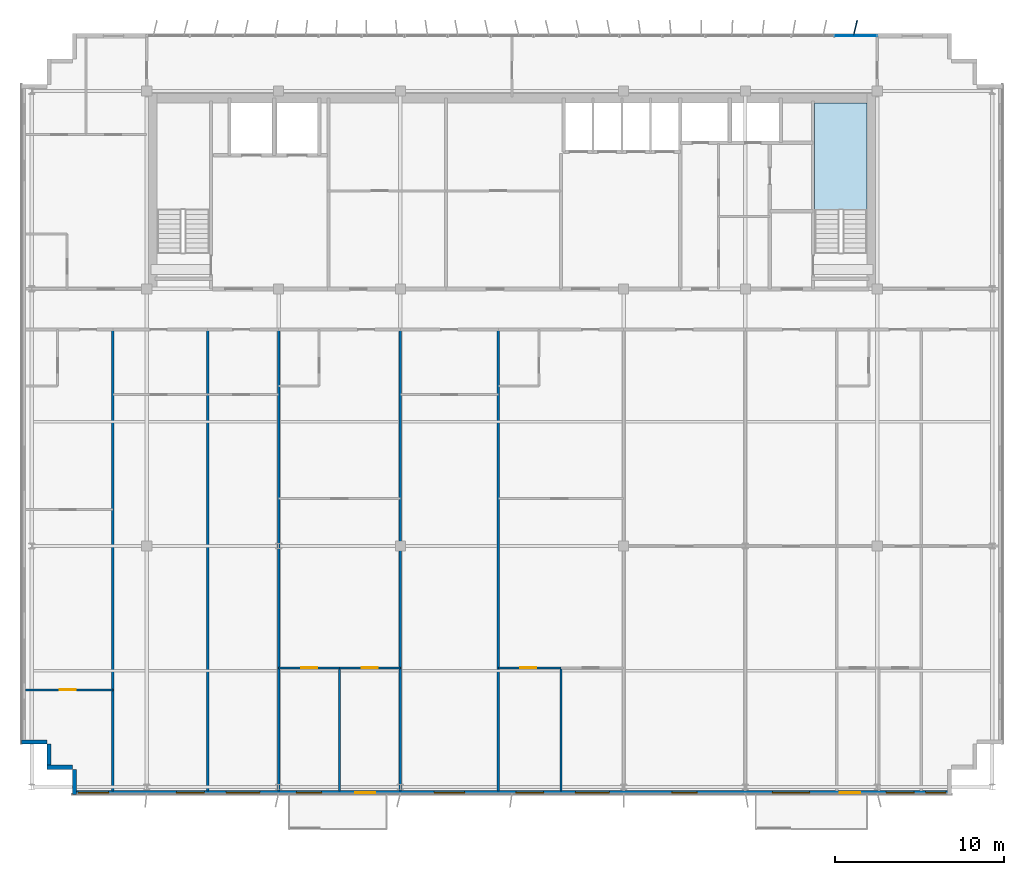
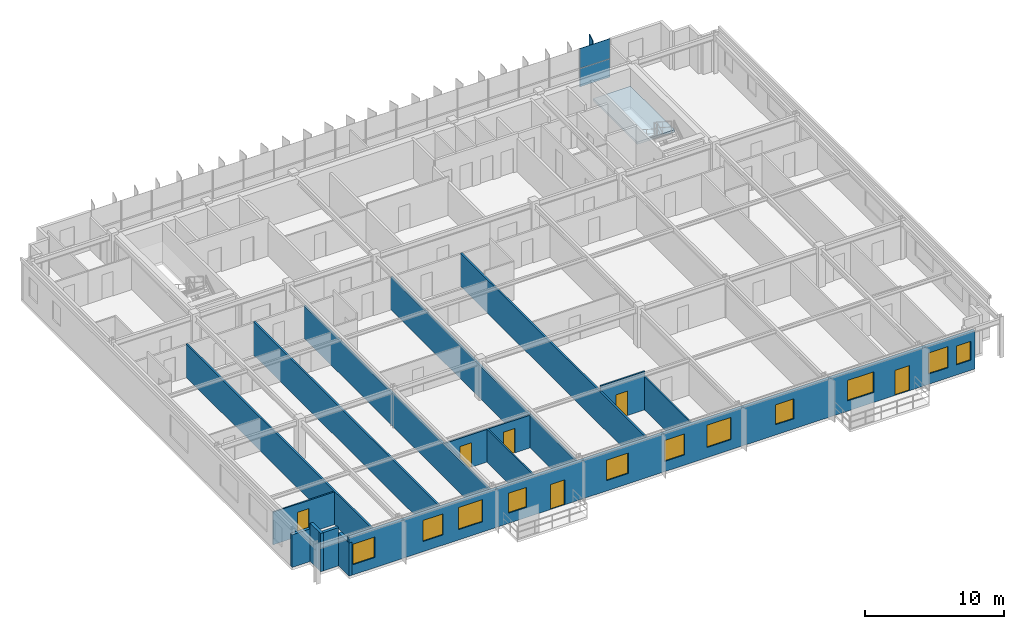
# One storey, part 16 of 23: 16 walls, 11 windows, 6 doors, 3 plates, 1 slab, 17 openings, 2 elements without a shape of their own.
"""IFC4 building model written with IfcOpenShell, lengths in metres."""

from ifc_helpers import new_model, si_unit, direction, frame, frame_2d, origin, origin_2d, place, context, subcontext, project, spatial, polyline, rectangle, outline, extrude, source, transform, mapped, material, layer, layer_set, type_object, element, fill, aggregate, save


model = new_model("IFC4")

# Units and contexts
model_context = context("Model", 3, precision=1e-05, world=origin(), true_north=direction((0.0, 1.0)))
body_context = subcontext(model_context, "Body", "Model", "MODEL_VIEW")
ifc_project = project(units=[si_unit("LENGTHUNIT", "METRE"), si_unit("AREAUNIT", "SQUARE_METRE"), si_unit("VOLUMEUNIT", "CUBIC_METRE"), si_unit("PLANEANGLEUNIT", "RADIAN"), si_unit("MASSUNIT", "GRAM", prefix="KILO")], contexts=[model_context])

# Site, building, storey
site_placement = place(None, origin())
site = spatial("IfcSite", under=ifc_project, at=site_placement, CompositionType="ELEMENT")
building_placement = place(site_placement, origin())
building = spatial("IfcBuilding", under=site, at=building_placement, Name="Trelvane Seafront Commons", CompositionType="ELEMENT")
storey_placement = place(building_placement, frame((0.0, 0.0, 263.10009765625)))
storey = spatial("IfcBuildingStorey", under=building, at=storey_placement, Name="L68", CompositionType="ELEMENT", Elevation=263.10009765625)

# Stair, slab
ifc_material_1 = material(Name="Concrete C40/50", Category="concrete")
stair_type = type_object("IfcStairType", Name="ARCH-STR-ST-2-R20-180", PredefinedType="HALF_TURN_STAIR", material=ifc_material_1)
stair_placement = place(storey_placement, origin())
stair = element("IfcStair", 1, at=stair_placement, inside=storey, type_object=stair_type, Name="L68 East Protected Firefighting Exit Stair ST-2", PredefinedType="HALF_TURN_STAIR")
ifc_layer_1 = layer(ifc_material_1, 0.199951171875, Name="ARCH-LND-200")
ifc_layer_set_1 = layer_set([ifc_layer_1], Name="Concrete C40/50")
slab_type = type_object("IfcSlabType", Name="ARCH-LND-200", PredefinedType="LANDING", material=ifc_layer_set_1)
slab_placement = place(storey_placement, frame((0.0, 0.0, 1.599853515625)))
slab = element("IfcSlab", 2, at=slab_placement, type_object=slab_type, Name="ST-2 landing 1", PredefinedType="LANDING", context=body_context, shape_type="SweptSolid", body=[
    extrude(outline(polyline([(58.199951171875, 38.070068359375), (58.199951171875, 44.39990234375), (55.10009765625, 44.39990234375), (55.10009765625, 38.070068359375), (58.199951171875, 38.070068359375)])), origin(), (0.0, 0.0, 1.0), 0.199951171875),
])
aggregate(stair, [slab])

# Plate
ifc_material_2 = material(Name="Anodised pale-silver aluminium", Category="aluminium")
ifc_layer_2 = layer(ifc_material_2, 0.06005859375, Name="ARCH-PLATE-FIN900")
ifc_layer_set_2 = layer_set([ifc_layer_2], Name="Anodised pale-silver aluminium")
plate_type_1 = type_object("IfcPlateType", Name="ARCH-PLATE-FIN900", PredefinedType="USERDEFINED", material=ifc_layer_set_2)
shared_shape_1 = source(origin(), body_context, "Body", "SweptSolid", [
    extrude(rectangle(XDim=0.89990234375, YDim=0.06005859375, at=origin_2d()), origin(), (0.0, 0.0, 1.0), 3.639892578125),
])
plate_1_placement = place(storey_placement, frame((57.5048828125, 48.837646484375, -0.02001953125), z_axis=(0.0, 0.0, 1.0), x_axis=(0.232876793588, 0.972506246257, 0.0)))
element("IfcPlate", 3, at=plate_1_placement, inside=storey, type_object=plate_type_1, Name="FIN-L68-01903", ObjectType="FIN", PredefinedType="USERDEFINED", context=body_context, shape_type="MappedRepresentation", body=[
    mapped(shared_shape_1, transform((0.0, 0.0, 0.0), x_axis=(1.0, 0.0, 0.0), y_axis=(0.0, 1.0, 0.0), z_axis=(0.0, 0.0, 1.0), scale=1.0)),
])

# Curtain wall, plates
curtain_wall_type = type_object("IfcCurtainWallType", Name="ARCH-CW5-UPTOWER", PredefinedType="NOTDEFINED", material=ifc_material_2)
curtain_wall_placement = place(storey_placement, origin())
curtain_wall = element("IfcCurtainWall", 4, at=curtain_wall_placement, inside=storey, type_object=curtain_wall_type, Name="CW-L68-0112", PredefinedType="NOTDEFINED")
ifc_material_3 = material(Name="Low-E coastal double glazing", Category="glass")
ifc_layer_3 = layer(ifc_material_3, 0.033935546875, Name="ARCH-CW-GLAZ-34")
ifc_layer_set_3 = layer_set([ifc_layer_3], Name="Low-E coastal double glazing")
plate_type_2 = type_object("IfcPlateType", Name="ARCH-CW-GLAZ-34", PredefinedType="CURTAIN_PANEL", material=ifc_layer_set_3)
shared_shape_2 = source(origin(), body_context, "Body", "SweptSolid", [
    extrude(rectangle(XDim=2.51708984375, YDim=0.033935546875, at=origin_2d()), origin(), (0.0, 0.0, 1.0), 1.60009765625),
])
plate_2_placement = place(storey_placement, frame((57.529296875, 48.3701171875, -0.000244140625), z_axis=(0.0, 0.0, 1.0), x_axis=(1.0, 0.0, 0.0)))
plate_2 = element("IfcPlate", 5, at=plate_2_placement, type_object=plate_type_2, Name="CW-L68-0112-P16-1", PredefinedType="CURTAIN_PANEL", context=body_context, shape_type="MappedRepresentation", body=[
    mapped(shared_shape_2, transform((0.0, 0.0, 0.0), x_axis=(1.0, 0.0, 0.0), y_axis=(0.0, 1.0, 0.0), z_axis=(0.0, 0.0, 1.0), scale=1.0)),
])
shared_shape_3 = source(origin(), body_context, "Body", "SweptSolid", [
    extrude(rectangle(XDim=2.51708984375, YDim=0.033935546875, at=origin_2d()), origin(), (0.0, 0.0, 1.0), 1.73388671875),
])
plate_3_placement = place(storey_placement, frame((57.529296875, 48.3701171875, 1.635986328125), z_axis=(0.0, 0.0, 1.0), x_axis=(1.0, 0.0, 0.0)))
plate_3 = element("IfcPlate", 6, at=plate_3_placement, type_object=plate_type_2, Name="CW-L68-0112-P16-2", PredefinedType="CURTAIN_PANEL", context=body_context, shape_type="MappedRepresentation", body=[
    mapped(shared_shape_3, transform((0.0, 0.0, 0.0), x_axis=(1.0, 0.0, 0.0), y_axis=(0.0, 1.0, 0.0), z_axis=(0.0, 0.0, 1.0), scale=1.0)),
])
aggregate(curtain_wall, [plate_2, plate_3])

# Walls
ifc_material_4 = material(Name="Precast concrete C40/50", Category="concrete")
ifc_layer_4 = layer(ifc_material_4, 0.239990234375, Name="ARCH-WALL-EXT240")
ifc_layer_set_4 = layer_set([ifc_layer_4], Name="Precast concrete C40/50")
wall_type_1 = type_object("IfcWallType", Name="ARCH-WALL-EXT240", PredefinedType="SOLIDWALL", material=ifc_layer_set_4)
for number, where, z_axis, x_axis, name in (
    (7, (11.199951171875, 5.1201171875, 0.0), (0.0, 0.0, 1.0), (-1.0, 0.0, 0.0), "EW-L68-01363"),
    (8, (9.820068359375, 5.0, 0.0), (0.0, 0.0, 1.0), (0.0, 1.0, 0.0), "EW-L68-01364"),
):
    element("IfcWall", number, at=place(storey_placement, frame(where, z_axis=z_axis, x_axis=x_axis)), inside=storey, type_object=wall_type_1, Name=name, PredefinedType="SOLIDWALL", context=body_context, shape_type="SweptSolid", body=[
        extrude(rectangle(XDim=1.5, YDim=0.239990234375, at=frame_2d((0.75, 0.0))), origin(), (0.0, 0.0, 1.0), 3.369873046875),
    ])
wall_1_placement = place(storey_placement, frame((9.699951171875, 6.6201171875, 0.0), z_axis=(0.0, 0.0, 1.0), x_axis=(-1.0, 0.0, 0.0)))
element("IfcWall", 9, at=wall_1_placement, inside=storey, type_object=wall_type_1, Name="EW-L68-01365", PredefinedType="SOLIDWALL", context=body_context, shape_type="SweptSolid", body=[
    extrude(rectangle(XDim=1.5, YDim=0.239990234375, at=frame_2d((0.75, 0.0))), origin(), (0.0, 0.0, 1.0), 2.869873046875),
])

# Wall, openings, windows, doors
wall_2_placement = place(storey_placement, frame((63.199951171875, 3.6201171875, 0.0), z_axis=(0.0, 0.0, 1.0), x_axis=(-1.0, 0.0, 0.0)))
wall_2 = element("IfcWall", 10, at=wall_2_placement, inside=storey, type_object=wall_type_1, Name="EW-L68-01380", PredefinedType="SOLIDWALL", context=body_context, shape_type="SweptSolid", body=[
    extrude(rectangle(XDim=52.0, YDim=0.239990234375, at=frame_2d((26.0, 0.0))), origin(), (0.0, 0.0, 1.0), 3.369873046875),
])
opening_1_placement = place(wall_2_placement, frame((0.344970703125, 0.0, 0.89990234375)))
opening_1 = element("IfcOpeningElement", 11, at=opening_1_placement, cuts=wall_2, Name="Opening W05", PredefinedType="OPENING", context=body_context, shape_type="SweptSolid", body=[
    extrude(rectangle(XDim=1.199951171875, YDim=1.64990234375, at=frame_2d((0.60009765625, 0.824951171875))), frame((0.0, 0.1298828125, 0.0), z_axis=(0.0, -1.0, 0.0), x_axis=(1.0, 0.0, 0.0)), (0.0, 0.0, 1.0), 0.260009765625),
])
opening_2_placement = place(wall_2_placement, frame((2.22509765625, 0.0, 0.89990234375)))
opening_2 = element("IfcOpeningElement", 12, at=opening_2_placement, cuts=wall_2, Name="Opening W07", PredefinedType="OPENING", context=body_context, shape_type="SweptSolid", body=[
    extrude(rectangle(XDim=1.64990234375, YDim=1.85009765625, at=frame_2d((0.824951171875, 0.925048828125))), frame((0.0, 0.1298828125, 0.0), z_axis=(0.0, -1.0, 0.0), x_axis=(1.0, 0.0, 0.0)), (0.0, 0.0, 1.0), 0.260009765625),
])
opening_3_placement = place(wall_2_placement, frame((5.419921875, 0.0, 0.0)))
opening_3 = element("IfcOpeningElement", 13, at=opening_3_placement, cuts=wall_2, Name="Opening BD-L68-138", PredefinedType="OPENING", context=body_context, shape_type="SweptSolid", body=[
    extrude(rectangle(XDim=1.199951171875, YDim=2.199951171875, at=frame_2d((0.60009765625, 1.10009765625))), frame((0.0, 0.1298828125, 0.0), z_axis=(0.0, -1.0, 0.0), x_axis=(1.0, 0.0, 0.0)), (0.0, 0.0, 1.0), 0.260009765625),
])
opening_4_placement = place(wall_2_placement, frame((8.39990234375, 0.0, 0.89990234375)))
opening_4 = element("IfcOpeningElement", 14, at=opening_4_placement, cuts=wall_2, Name="Opening W02", PredefinedType="OPENING", context=body_context, shape_type="SweptSolid", body=[
    extrude(rectangle(XDim=2.199951171875, YDim=1.800048828125, at=frame_2d((1.10009765625, 0.89990234375))), frame((0.0, 0.1298828125, 0.0), z_axis=(0.0, -1.0, 0.0), x_axis=(1.0, 0.0, 0.0)), (0.0, 0.0, 1.0), 0.260009765625),
])
opening_5_placement = place(wall_2_placement, frame((15.050048828125, 0.0, 0.89990234375)))
opening_5 = element("IfcOpeningElement", 15, at=opening_5_placement, cuts=wall_2, Name="Opening W03", PredefinedType="OPENING", context=body_context, shape_type="SweptSolid", body=[
    extrude(rectangle(XDim=1.5, YDim=1.75, at=frame_2d((0.75, 0.875))), frame((0.0, 0.1298828125, 0.0), z_axis=(0.0, -1.0, 0.0), x_axis=(1.0, 0.0, 0.0)), (0.0, 0.0, 1.0), 0.260009765625),
])
opening_6_placement = place(wall_2_placement, frame((20.25, 0.0, 0.89990234375)))
opening_6 = element("IfcOpeningElement", 16, at=opening_6_placement, cuts=wall_2, Name="Opening W06", PredefinedType="OPENING", context=body_context, shape_type="SweptSolid", body=[
    extrude(rectangle(XDim=2.0, YDim=1.949951171875, at=frame_2d((1.0, 0.97509765625))), frame((0.0, 0.1298828125, 0.0), z_axis=(0.0, -1.0, 0.0), x_axis=(1.0, 0.0, 0.0)), (0.0, 0.0, 1.0), 0.260009765625),
])
opening_7_placement = place(wall_2_placement, frame((24.125, 0.0, 0.89990234375)))
opening_7 = element("IfcOpeningElement", 17, at=opening_7_placement, cuts=wall_2, Name="Opening W07", PredefinedType="OPENING", context=body_context, shape_type="SweptSolid", body=[
    extrude(rectangle(XDim=1.64990234375, YDim=1.85009765625, at=frame_2d((0.824951171875, 0.925048828125))), frame((0.0, 0.1298828125, 0.0), z_axis=(0.0, -1.0, 0.0), x_axis=(1.0, 0.0, 0.0)), (0.0, 0.0, 1.0), 0.260009765625),
])
opening_8_placement = place(wall_2_placement, frame((28.800048828125, 0.0, 0.89990234375)))
opening_8 = element("IfcOpeningElement", 18, at=opening_8_placement, cuts=wall_2, Name="Opening W01", PredefinedType="OPENING", context=body_context, shape_type="SweptSolid", body=[
    extrude(rectangle(XDim=1.800048828125, YDim=1.800048828125, at=frame_2d((0.89990234375, 0.89990234375))), frame((0.0, 0.1298828125, 0.0), z_axis=(0.0, -1.0, 0.0), x_axis=(1.0, 0.0, 0.0)), (0.0, 0.0, 1.0), 0.260009765625),
])
opening_9_placement = place(wall_2_placement, frame((34.077880859375, 0.0, 0.0)))
opening_9 = element("IfcOpeningElement", 19, at=opening_9_placement, cuts=wall_2, Name="Opening BD-L68-139", PredefinedType="OPENING", context=body_context, shape_type="SweptSolid", body=[
    extrude(rectangle(XDim=1.199951171875, YDim=2.199951171875, at=frame_2d((0.60009765625, 1.10009765625))), frame((0.0, 0.1298828125, 0.0), z_axis=(0.0, -1.0, 0.0), x_axis=(1.0, 0.0, 0.0)), (0.0, 0.0, 1.0), 0.260009765625),
])
opening_10_placement = place(wall_2_placement, frame((37.25, 0.0, 0.89990234375)))
opening_10 = element("IfcOpeningElement", 20, at=opening_10_placement, cuts=wall_2, Name="Opening W03", PredefinedType="OPENING", context=body_context, shape_type="SweptSolid", body=[
    extrude(rectangle(XDim=1.5, YDim=1.75, at=frame_2d((0.75, 0.875))), frame((0.0, 0.1298828125, 0.0), z_axis=(0.0, -1.0, 0.0), x_axis=(1.0, 0.0, 0.0)), (0.0, 0.0, 1.0), 0.260009765625),
])
opening_11_placement = place(wall_2_placement, frame((40.89990234375, 0.0, 0.89990234375)))
opening_11 = element("IfcOpeningElement", 21, at=opening_11_placement, cuts=wall_2, Name="Opening W06", PredefinedType="OPENING", context=body_context, shape_type="SweptSolid", body=[
    extrude(rectangle(XDim=2.0, YDim=1.949951171875, at=frame_2d((1.0, 0.97509765625))), frame((0.0, 0.1298828125, 0.0), z_axis=(0.0, -1.0, 0.0), x_axis=(1.0, 0.0, 0.0)), (0.0, 0.0, 1.0), 0.260009765625),
])
opening_12_placement = place(wall_2_placement, frame((44.18994140625, 0.0, 0.89990234375)))
opening_12 = element("IfcOpeningElement", 22, at=opening_12_placement, cuts=wall_2, Name="Opening W07", PredefinedType="OPENING", context=body_context, shape_type="SweptSolid", body=[
    extrude(rectangle(XDim=1.64990234375, YDim=1.85009765625, at=frame_2d((0.824951171875, 0.925048828125))), frame((0.0, 0.1298828125, 0.0), z_axis=(0.0, -1.0, 0.0), x_axis=(1.0, 0.0, 0.0)), (0.0, 0.0, 1.0), 0.260009765625),
])
opening_13_placement = place(wall_2_placement, frame((49.85498046875, 0.0, 0.89990234375)))
opening_13 = element("IfcOpeningElement", 23, at=opening_13_placement, cuts=wall_2, Name="Opening W01", PredefinedType="OPENING", context=body_context, shape_type="SweptSolid", body=[
    extrude(rectangle(XDim=1.800048828125, YDim=1.800048828125, at=frame_2d((0.89990234375, 0.89990234375))), frame((0.0, 0.1298828125, 0.0), z_axis=(0.0, -1.0, 0.0), x_axis=(1.0, 0.0, 0.0)), (0.0, 0.0, 1.0), 0.260009765625),
])
window_type_1 = type_object("IfcWindowType", Name="ARCH-WIN-W05", PartitioningType="SINGLE_PANEL", PredefinedType="WINDOW", material=ifc_material_3)
shared_shape_4 = source(origin(), body_context, "Body", "SweptSolid", [
    extrude(rectangle(XDim=1.199951171875, YDim=1.64990234375, at=frame_2d((0.60009765625, 0.824951171875))), frame((0.0, 0.030029296875, 0.0), z_axis=(0.0, -1.0, 0.0), x_axis=(1.0, 0.0, 0.0)), (0.0, 0.0, 1.0), 0.06005859375),
])
window_1_placement = place(opening_1_placement, origin())
window_1 = element("IfcWindow", 24, at=window_1_placement, inside=storey, type_object=window_type_1, Name="WIN-L68-01635", OverallHeight=1.64990234375, OverallWidth=1.199951171875, PartitioningType="SINGLE_PANEL", PredefinedType="WINDOW", context=body_context, shape_type="MappedRepresentation", body=[
    mapped(shared_shape_4, transform((0.0, 0.0, 0.0), x_axis=(1.0, 0.0, 0.0), y_axis=(0.0, 1.0, 0.0), z_axis=(0.0, 0.0, 1.0), scale=1.0)),
])
fill(opening_1, window_1)
ifc_material_5 = material(Name="Powder-coated aluminium frame", Category="aluminium")
door_type_1 = type_object("IfcDoorType", Name="ARCH-DR-BAL1200", OperationType="NOTDEFINED", PredefinedType="DOOR", material=ifc_material_5)
shared_shape_5 = source(origin(), body_context, "Body", "SweptSolid", [
    extrude(rectangle(XDim=1.199951171875, YDim=2.199951171875, at=frame_2d((0.60009765625, 1.10009765625))), frame((0.0, 0.02490234375, 0.0), z_axis=(0.0, -1.0, 0.0), x_axis=(1.0, 0.0, 0.0)), (0.0, 0.0, 1.0), 0.050048828125),
])
door_1_placement = place(opening_3_placement, origin())
door_1 = element("IfcDoor", 25, at=door_1_placement, inside=storey, type_object=door_type_1, Name="L68 Balcony Terrace Access Door", OperationType="SINGLE_SWING_LEFT", OverallHeight=2.199951171875, OverallWidth=1.199951171875, PredefinedType="DOOR", context=body_context, shape_type="MappedRepresentation", body=[
    mapped(shared_shape_5, transform((0.0, 0.0, 0.0), x_axis=(1.0, 0.0, 0.0), y_axis=(0.0, 1.0, 0.0), z_axis=(0.0, 0.0, 1.0), scale=1.0)),
])
fill(opening_3, door_1)
door_2_placement = place(opening_9_placement, origin())
door_2 = element("IfcDoor", 26, at=door_2_placement, inside=storey, type_object=door_type_1, Name="L68 Balcony Terrace Access Door", OperationType="SINGLE_SWING_LEFT", OverallHeight=2.199951171875, OverallWidth=1.199951171875, PredefinedType="DOOR", context=body_context, shape_type="MappedRepresentation", body=[
    mapped(shared_shape_5, transform((0.0, 0.0, 0.0), x_axis=(1.0, 0.0, 0.0), y_axis=(0.0, 1.0, 0.0), z_axis=(0.0, 0.0, 1.0), scale=1.0)),
])
fill(opening_9, door_2)
window_type_2 = type_object("IfcWindowType", Name="ARCH-WIN-W02", PartitioningType="SINGLE_PANEL", PredefinedType="WINDOW", material=ifc_material_3)
shared_shape_6 = source(origin(), body_context, "Body", "SweptSolid", [
    extrude(rectangle(XDim=2.199951171875, YDim=1.800048828125, at=frame_2d((1.10009765625, 0.89990234375))), frame((0.0, 0.030029296875, 0.0), z_axis=(0.0, -1.0, 0.0), x_axis=(1.0, 0.0, 0.0)), (0.0, 0.0, 1.0), 0.06005859375),
])
window_2_placement = place(opening_4_placement, origin())
window_2 = element("IfcWindow", 27, at=window_2_placement, inside=storey, type_object=window_type_2, Name="WIN-L68-01637", OverallHeight=1.800048828125, OverallWidth=2.199951171875, PartitioningType="SINGLE_PANEL", PredefinedType="WINDOW", context=body_context, shape_type="MappedRepresentation", body=[
    mapped(shared_shape_6, transform((0.0, 0.0, 0.0), x_axis=(1.0, 0.0, 0.0), y_axis=(0.0, 1.0, 0.0), z_axis=(0.0, 0.0, 1.0), scale=1.0)),
])
fill(opening_4, window_2)
window_type_3 = type_object("IfcWindowType", Name="ARCH-WIN-W03", PartitioningType="SINGLE_PANEL", PredefinedType="WINDOW", material=ifc_material_3)
shared_shape_7 = source(origin(), body_context, "Body", "SweptSolid", [
    extrude(rectangle(XDim=1.5, YDim=1.75, at=frame_2d((0.75, 0.875))), frame((0.0, 0.030029296875, 0.0), z_axis=(0.0, -1.0, 0.0), x_axis=(1.0, 0.0, 0.0)), (0.0, 0.0, 1.0), 0.06005859375),
])
window_3_placement = place(opening_5_placement, origin())
window_3 = element("IfcWindow", 28, at=window_3_placement, inside=storey, type_object=window_type_3, Name="WIN-L68-01638", OverallHeight=1.75, OverallWidth=1.5, PartitioningType="SINGLE_PANEL", PredefinedType="WINDOW", context=body_context, shape_type="MappedRepresentation", body=[
    mapped(shared_shape_7, transform((0.0, 0.0, 0.0), x_axis=(1.0, 0.0, 0.0), y_axis=(0.0, 1.0, 0.0), z_axis=(0.0, 0.0, 1.0), scale=1.0)),
])
fill(opening_5, window_3)
window_4_placement = place(opening_10_placement, origin())
window_4 = element("IfcWindow", 29, at=window_4_placement, inside=storey, type_object=window_type_3, Name="WIN-L68-01642", OverallHeight=1.75, OverallWidth=1.5, PartitioningType="SINGLE_PANEL", PredefinedType="WINDOW", context=body_context, shape_type="MappedRepresentation", body=[
    mapped(shared_shape_7, transform((0.0, 0.0, 0.0), x_axis=(1.0, 0.0, 0.0), y_axis=(0.0, 1.0, 0.0), z_axis=(0.0, 0.0, 1.0), scale=1.0)),
])
fill(opening_10, window_4)
window_type_4 = type_object("IfcWindowType", Name="ARCH-WIN-W06", PartitioningType="SINGLE_PANEL", PredefinedType="WINDOW", material=ifc_material_3)
shared_shape_8 = source(origin(), body_context, "Body", "SweptSolid", [
    extrude(rectangle(XDim=2.0, YDim=1.949951171875, at=frame_2d((1.0, 0.97509765625))), frame((0.0, 0.030029296875, 0.0), z_axis=(0.0, -1.0, 0.0), x_axis=(1.0, 0.0, 0.0)), (0.0, 0.0, 1.0), 0.06005859375),
])
window_5_placement = place(opening_6_placement, origin())
window_5 = element("IfcWindow", 30, at=window_5_placement, inside=storey, type_object=window_type_4, Name="WIN-L68-01639", OverallHeight=1.949951171875, OverallWidth=2.0, PartitioningType="SINGLE_PANEL", PredefinedType="WINDOW", context=body_context, shape_type="MappedRepresentation", body=[
    mapped(shared_shape_8, transform((0.0, 0.0, 0.0), x_axis=(1.0, 0.0, 0.0), y_axis=(0.0, 1.0, 0.0), z_axis=(0.0, 0.0, 1.0), scale=1.0)),
])
fill(opening_6, window_5)
window_6_placement = place(opening_11_placement, origin())
window_6 = element("IfcWindow", 31, at=window_6_placement, inside=storey, type_object=window_type_4, Name="WIN-L68-01643", OverallHeight=1.949951171875, OverallWidth=2.0, PartitioningType="SINGLE_PANEL", PredefinedType="WINDOW", context=body_context, shape_type="MappedRepresentation", body=[
    mapped(shared_shape_8, transform((0.0, 0.0, 0.0), x_axis=(1.0, 0.0, 0.0), y_axis=(0.0, 1.0, 0.0), z_axis=(0.0, 0.0, 1.0), scale=1.0)),
])
fill(opening_11, window_6)
window_type_5 = type_object("IfcWindowType", Name="ARCH-WIN-W01", PartitioningType="SINGLE_PANEL", PredefinedType="WINDOW", material=ifc_material_3)
shared_shape_9 = source(origin(), body_context, "Body", "SweptSolid", [
    extrude(rectangle(XDim=1.800048828125, YDim=1.800048828125, at=frame_2d((0.89990234375, 0.89990234375))), frame((0.0, 0.030029296875, 0.0), z_axis=(0.0, -1.0, 0.0), x_axis=(1.0, 0.0, 0.0)), (0.0, 0.0, 1.0), 0.06005859375),
])
window_7_placement = place(opening_8_placement, origin())
window_7 = element("IfcWindow", 32, at=window_7_placement, inside=storey, type_object=window_type_5, Name="WIN-L68-01641", OverallHeight=1.800048828125, OverallWidth=1.800048828125, PartitioningType="SINGLE_PANEL", PredefinedType="WINDOW", context=body_context, shape_type="MappedRepresentation", body=[
    mapped(shared_shape_9, transform((0.0, 0.0, 0.0), x_axis=(1.0, 0.0, 0.0), y_axis=(0.0, 1.0, 0.0), z_axis=(0.0, 0.0, 1.0), scale=1.0)),
])
fill(opening_8, window_7)
window_8_placement = place(opening_13_placement, origin())
window_8 = element("IfcWindow", 33, at=window_8_placement, inside=storey, type_object=window_type_5, Name="WIN-L68-01645", OverallHeight=1.800048828125, OverallWidth=1.800048828125, PartitioningType="SINGLE_PANEL", PredefinedType="WINDOW", context=body_context, shape_type="MappedRepresentation", body=[
    mapped(shared_shape_9, transform((0.0, 0.0, 0.0), x_axis=(1.0, 0.0, 0.0), y_axis=(0.0, 1.0, 0.0), z_axis=(0.0, 0.0, 1.0), scale=1.0)),
])
fill(opening_13, window_8)
window_type_6 = type_object("IfcWindowType", Name="ARCH-WIN-W07", PartitioningType="SINGLE_PANEL", PredefinedType="WINDOW", material=ifc_material_3)
shared_shape_10 = source(origin(), body_context, "Body", "SweptSolid", [
    extrude(rectangle(XDim=1.64990234375, YDim=1.85009765625, at=frame_2d((0.824951171875, 0.925048828125))), frame((0.0, 0.030029296875, 0.0), z_axis=(0.0, -1.0, 0.0), x_axis=(1.0, 0.0, 0.0)), (0.0, 0.0, 1.0), 0.06005859375),
])
window_9_placement = place(opening_2_placement, origin())
window_9 = element("IfcWindow", 34, at=window_9_placement, inside=storey, type_object=window_type_6, Name="WIN-L68-01636", OverallHeight=1.85009765625, OverallWidth=1.64990234375, PartitioningType="SINGLE_PANEL", PredefinedType="WINDOW", context=body_context, shape_type="MappedRepresentation", body=[
    mapped(shared_shape_10, transform((0.0, 0.0, 0.0), x_axis=(1.0, 0.0, 0.0), y_axis=(0.0, 1.0, 0.0), z_axis=(0.0, 0.0, 1.0), scale=1.0)),
])
fill(opening_2, window_9)
window_10_placement = place(opening_7_placement, origin())
window_10 = element("IfcWindow", 35, at=window_10_placement, inside=storey, type_object=window_type_6, Name="WIN-L68-01640", OverallHeight=1.85009765625, OverallWidth=1.64990234375, PartitioningType="SINGLE_PANEL", PredefinedType="WINDOW", context=body_context, shape_type="MappedRepresentation", body=[
    mapped(shared_shape_10, transform((0.0, 0.0, 0.0), x_axis=(1.0, 0.0, 0.0), y_axis=(0.0, 1.0, 0.0), z_axis=(0.0, 0.0, 1.0), scale=1.0)),
])
fill(opening_7, window_10)
window_11_placement = place(opening_12_placement, origin())
window_11 = element("IfcWindow", 36, at=window_11_placement, inside=storey, type_object=window_type_6, Name="WIN-L68-01644", OverallHeight=1.85009765625, OverallWidth=1.64990234375, PartitioningType="SINGLE_PANEL", PredefinedType="WINDOW", context=body_context, shape_type="MappedRepresentation", body=[
    mapped(shared_shape_10, transform((0.0, 0.0, 0.0), x_axis=(1.0, 0.0, 0.0), y_axis=(0.0, 1.0, 0.0), z_axis=(0.0, 0.0, 1.0), scale=1.0)),
])
fill(opening_12, window_11)

# Wall
wall_3_placement = place(storey_placement, frame((11.320068359375, 3.5, 0.0), z_axis=(0.0, 0.0, 1.0), x_axis=(0.0, 1.0, 0.0)))
element("IfcWall", 37, at=wall_3_placement, inside=storey, type_object=wall_type_1, Name="EW-L68-01381", PredefinedType="SOLIDWALL", context=body_context, shape_type="SweptSolid", body=[
    extrude(rectangle(XDim=1.5, YDim=0.239990234375, at=frame_2d((0.75, 0.0))), origin(), (0.0, 0.0, 1.0), 2.919921875),
])

# Wall, opening, door
ifc_material_6 = material(Name="Gypsum Drywall Acoustic Partition")
ifc_layer_5 = layer(ifc_material_6, 0.1201171875, Name="ARCH-WALL-PART120")
ifc_layer_set_5 = layer_set([ifc_layer_5], Name="Gypsum Drywall Acoustic Partition")
wall_type_2 = type_object("IfcWallType", Name="ARCH-WALL-PART120", PredefinedType="PARTITIONING", material=ifc_layer_set_5)
wall_4_placement = place(storey_placement, frame((8.43994140625, 9.699951171875, 0.0), z_axis=(0.0, 0.0, 1.0), x_axis=(1.0, 0.0, 0.0)))
wall_4 = element("IfcWall", 38, at=wall_4_placement, inside=storey, type_object=wall_type_2, Name="W-L68-U1-YM-1-058", PredefinedType="PARTITIONING", context=body_context, shape_type="SweptSolid", body=[
    extrude(rectangle(XDim=5.16015625, YDim=0.1201171875, at=frame_2d((2.580078125, 0.0))), origin(), (0.0, 0.0, 1.0), 2.869873046875),
])
opening_14_placement = place(wall_4_placement, frame((2.013916015625, 0.0, 0.0)))
opening_14 = element("IfcOpeningElement", 39, at=opening_14_placement, cuts=wall_4, Name="Opening D-L68-33", PredefinedType="OPENING", context=body_context, shape_type="SweptSolid", body=[
    extrude(rectangle(XDim=0.949951171875, YDim=2.14990234375, at=frame_2d((0.47509765625, 1.074951171875))), frame((0.0, 0.070068359375, 0.0), z_axis=(0.0, -1.0, 0.0), x_axis=(1.0, 0.0, 0.0)), (0.0, 0.0, 1.0), 0.14013671875),
])
ifc_material_7 = material(Name="Acoustic timber door leaf", Category="wood")
door_type_2 = type_object("IfcDoorType", Name="ARCH-DR-INT950", OperationType="NOTDEFINED", PredefinedType="DOOR", material=ifc_material_7)
shared_shape_11 = source(origin(), body_context, "Body", "SweptSolid", [
    extrude(rectangle(XDim=0.949951171875, YDim=2.14990234375, at=frame_2d((0.47509765625, 1.074951171875))), frame((0.0, 0.02490234375, 0.0), z_axis=(0.0, -1.0, 0.0), x_axis=(1.0, 0.0, 0.0)), (0.0, 0.0, 1.0), 0.050048828125),
])
door_3_placement = place(opening_14_placement, origin())
door_3 = element("IfcDoor", 40, at=door_3_placement, inside=storey, type_object=door_type_2, Name="L68 Door 33", OperationType="SINGLE_SWING_LEFT", OverallHeight=2.14990234375, OverallWidth=0.949951171875, PredefinedType="DOOR", context=body_context, shape_type="MappedRepresentation", body=[
    mapped(shared_shape_11, transform((0.0, 0.0, 0.0), x_axis=(1.0, 0.0, 0.0), y_axis=(0.0, 1.0, 0.0), z_axis=(0.0, 0.0, 1.0), scale=1.0)),
])
fill(opening_14, door_3)

wall_5_placement = place(storey_placement, frame((23.39990234375, 11.0, 0.0), z_axis=(0.0, 0.0, 1.0), x_axis=(1.0, 0.0, 0.0)))
wall_5 = element("IfcWall", 41, at=wall_5_placement, inside=storey, type_object=wall_type_2, Name="W-L68-U4-YM-1-067", PredefinedType="PARTITIONING", context=body_context, shape_type="SweptSolid", body=[
    extrude(rectangle(XDim=3.60009765625, YDim=0.1201171875, at=frame_2d((1.800048828125, 0.0))), origin(), (0.0, 0.0, 1.0), 2.869873046875),
])
opening_15_placement = place(wall_5_placement, frame((1.324951171875, 0.0, 0.0)))
opening_15 = element("IfcOpeningElement", 42, at=opening_15_placement, cuts=wall_5, Name="Opening D-L68-41", PredefinedType="OPENING", context=body_context, shape_type="SweptSolid", body=[
    extrude(rectangle(XDim=0.949951171875, YDim=2.14990234375, at=frame_2d((0.47509765625, 1.074951171875))), frame((0.0, 0.070068359375, 0.0), z_axis=(0.0, -1.0, 0.0), x_axis=(1.0, 0.0, 0.0)), (0.0, 0.0, 1.0), 0.14013671875),
])
door_4_placement = place(opening_15_placement, origin())
door_4 = element("IfcDoor", 43, at=door_4_placement, inside=storey, type_object=door_type_2, Name="L68 Door 41", OperationType="SINGLE_SWING_LEFT", OverallHeight=2.14990234375, OverallWidth=0.949951171875, PredefinedType="DOOR", context=body_context, shape_type="MappedRepresentation", body=[
    mapped(shared_shape_11, transform((0.0, 0.0, 0.0), x_axis=(1.0, 0.0, 0.0), y_axis=(0.0, 1.0, 0.0), z_axis=(0.0, 0.0, 1.0), scale=1.0)),
])
fill(opening_15, door_4)

wall_6_placement = place(storey_placement, frame((27.0, 11.0, 0.0), z_axis=(0.0, 0.0, 1.0), x_axis=(1.0, 0.0, 0.0)))
wall_6 = element("IfcWall", 44, at=wall_6_placement, inside=storey, type_object=wall_type_2, Name="W-L68-U4-YM-2-068", PredefinedType="PARTITIONING", context=body_context, shape_type="SweptSolid", body=[
    extrude(rectangle(XDim=3.60009765625, YDim=0.1201171875, at=frame_2d((1.800048828125, 0.0))), origin(), (0.0, 0.0, 1.0), 2.869873046875),
])
opening_16_placement = place(wall_6_placement, frame((1.324951171875, 0.0, 0.0)))
opening_16 = element("IfcOpeningElement", 45, at=opening_16_placement, cuts=wall_6, Name="Opening D-L68-42", PredefinedType="OPENING", context=body_context, shape_type="SweptSolid", body=[
    extrude(rectangle(XDim=0.949951171875, YDim=2.14990234375, at=frame_2d((0.47509765625, 1.074951171875))), frame((0.0, 0.070068359375, 0.0), z_axis=(0.0, -1.0, 0.0), x_axis=(1.0, 0.0, 0.0)), (0.0, 0.0, 1.0), 0.14013671875),
])
door_5_placement = place(opening_16_placement, origin())
door_5 = element("IfcDoor", 46, at=door_5_placement, inside=storey, type_object=door_type_2, Name="L68 Door 42", OperationType="SINGLE_SWING_RIGHT", OverallHeight=2.14990234375, OverallWidth=0.949951171875, PredefinedType="DOOR", context=body_context, shape_type="MappedRepresentation", body=[
    mapped(shared_shape_11, transform((0.0, 0.0, 0.0), x_axis=(1.0, 0.0, 0.0), y_axis=(0.0, 1.0, 0.0), z_axis=(0.0, 0.0, 1.0), scale=1.0)),
])
fill(opening_16, door_5)

# Wall
wall_7_placement = place(storey_placement, frame((27.0, 3.72509765625, 0.0), z_axis=(0.0, 0.0, 1.0), x_axis=(0.0, 1.0, 0.0)))
element("IfcWall", 47, at=wall_7_placement, inside=storey, type_object=wall_type_2, Name="W-L68-U4-BDV-1-069", PredefinedType="PARTITIONING", context=body_context, shape_type="SweptSolid", body=[
    extrude(rectangle(XDim=7.27490234375, YDim=0.1201171875, at=frame_2d((3.637451171875, 0.0))), origin(), (0.0, 0.0, 1.0), 2.919921875),
])

# Wall, opening, door
wall_8_placement = place(storey_placement, frame((36.39990234375, 11.0, 0.0), z_axis=(0.0, 0.0, 1.0), x_axis=(1.0, 0.0, 0.0)))
wall_8 = element("IfcWall", 48, at=wall_8_placement, inside=storey, type_object=wall_type_2, Name="W-L68-U6-YM-1-076", PredefinedType="PARTITIONING", context=body_context, shape_type="SweptSolid", body=[
    extrude(rectangle(XDim=3.7001953125, YDim=0.1201171875, at=frame_2d((1.85009765625, 0.0))), origin(), (0.0, 0.0, 1.0), 3.369873046875),
])
opening_17_placement = place(wall_8_placement, frame((1.284912109375, 0.0, 0.0)))
opening_17 = element("IfcOpeningElement", 49, at=opening_17_placement, cuts=wall_8, Name="Opening D-L68-48", PredefinedType="OPENING", context=body_context, shape_type="SweptSolid", body=[
    extrude(rectangle(XDim=0.949951171875, YDim=2.14990234375, at=frame_2d((0.47509765625, 1.074951171875))), frame((0.0, 0.070068359375, 0.0), z_axis=(0.0, -1.0, 0.0), x_axis=(1.0, 0.0, 0.0)), (0.0, 0.0, 1.0), 0.14013671875),
])
door_6_placement = place(opening_17_placement, origin())
door_6 = element("IfcDoor", 50, at=door_6_placement, inside=storey, type_object=door_type_2, Name="L68 Door 48", OperationType="SINGLE_SWING_RIGHT", OverallHeight=2.14990234375, OverallWidth=0.949951171875, PredefinedType="DOOR", context=body_context, shape_type="MappedRepresentation", body=[
    mapped(shared_shape_11, transform((0.0, 0.0, 0.0), x_axis=(1.0, 0.0, 0.0), y_axis=(0.0, 1.0, 0.0), z_axis=(0.0, 0.0, 1.0), scale=1.0)),
])
fill(opening_17, door_6)

# Walls
wall_9_placement = place(storey_placement, frame((40.10009765625, 3.72509765625, 0.0), z_axis=(0.0, 0.0, 1.0), x_axis=(0.0, 1.0, 0.0)))
element("IfcWall", 51, at=wall_9_placement, inside=storey, type_object=wall_type_2, Name="W-L68-U6-BDV-1-078", PredefinedType="PARTITIONING", context=body_context, shape_type="SweptSolid", body=[
    extrude(rectangle(XDim=7.27490234375, YDim=0.1201171875, at=frame_2d((3.637451171875, 0.0))), origin(), (0.0, 0.0, 1.0), 2.919921875),
])
ifc_layer_6 = layer(ifc_material_6, 0.14990234375, Name="ARCH-WALL-PART150")
ifc_layer_set_6 = layer_set([ifc_layer_6], Name="Gypsum Drywall Acoustic Partition")
wall_type_3 = type_object("IfcWallType", Name="ARCH-WALL-PART150", PredefinedType="PARTITIONING", material=ifc_layer_set_6)
for number, where, z_axis, x_axis, name in (
    (52, (13.60009765625, 3.72509765625, 0.0), (0.0, 0.0, 1.0), (0.0, 1.0, 0.0), "W-L68-PW-1-045"),
    (53, (19.199951171875, 3.72509765625, 0.0), (0.0, 0.0, 1.0), (0.0, 1.0, 0.0), "W-L68-PW-2-046"),
):
    element("IfcWall", number, at=place(storey_placement, frame(where, z_axis=z_axis, x_axis=x_axis)), inside=storey, type_object=wall_type_3, Name=name, PredefinedType="PARTITIONING", context=body_context, shape_type="SweptSolid", body=[
        extrude(rectangle(XDim=27.27490234375, YDim=0.14990234375, at=frame_2d((13.637451171875, 0.0))), origin(), (0.0, 0.0, 1.0), 2.919921875),
    ])
for number, where, z_axis, x_axis, name in (
    (54, (23.39990234375, 3.72509765625, 0.0), (0.0, 0.0, 1.0), (0.0, 1.0, 0.0), "W-L68-PW-3-047"),
    (55, (30.60009765625, 3.72509765625, 0.0), (0.0, 0.0, 1.0), (0.0, 1.0, 0.0), "W-L68-PW-4-048"),
):
    element("IfcWall", number, at=place(storey_placement, frame(where, z_axis=z_axis, x_axis=x_axis)), inside=storey, type_object=wall_type_3, Name=name, PredefinedType="PARTITIONING", context=body_context, shape_type="SweptSolid", body=[
        extrude(rectangle(XDim=27.27490234375, YDim=0.14990234375, at=frame_2d((13.637451171875, 0.0))), origin(), (0.0, 0.0, 1.0), 2.869873046875),
    ])
wall_10_placement = place(storey_placement, frame((36.39990234375, 3.72509765625, 0.0), z_axis=(0.0, 0.0, 1.0), x_axis=(0.0, 1.0, 0.0)))
element("IfcWall", 56, at=wall_10_placement, inside=storey, type_object=wall_type_3, Name="W-L68-PW-5-049", PredefinedType="PARTITIONING", context=body_context, shape_type="SweptSolid", body=[
    extrude(rectangle(XDim=27.27490234375, YDim=0.14990234375, at=frame_2d((13.637451171875, 0.0))), origin(), (0.0, 0.0, 1.0), 2.919921875),
])

save(model, "model.ifc")
